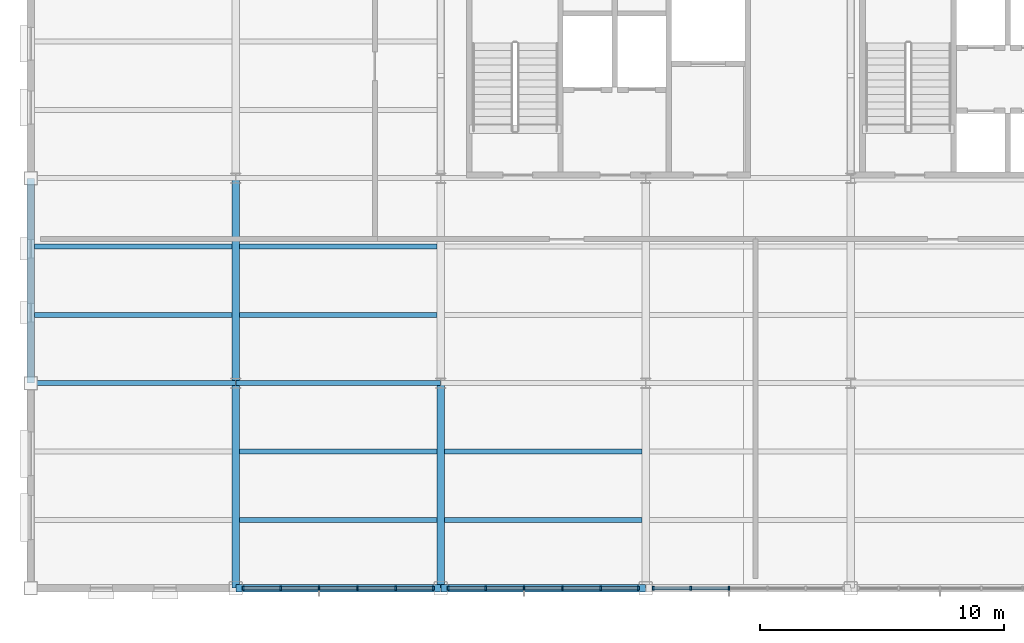
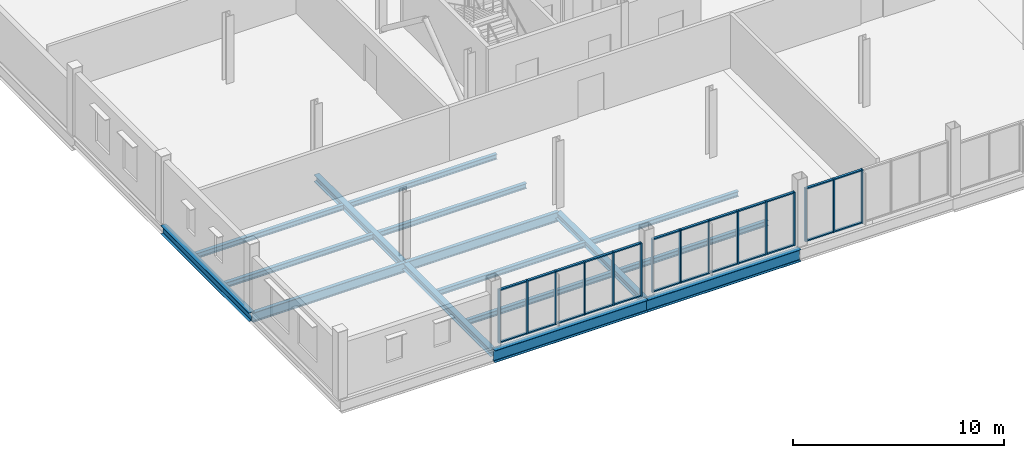
# One storey, part 4 of 17: 39 members, 16 beams, 3 elements without a shape of their own.
"""IFC4 building model written with IfcOpenShell, lengths in metres."""

from ifc_helpers import new_model, si_unit, direction, frame, origin, origin_2d, place, context, subcontext, project, spatial, rectangle, i_section, extrude, material, layer, layer_set, material_profile, profile_set, type_object, element, aggregate, save


model = new_model("IFC4")

# Units and contexts
model_context = context("Model", 3, precision=1e-05, world=origin(), true_north=direction((0.0, 1.0)))
body_context = subcontext(model_context, "Body", "Model", "MODEL_VIEW")
ifc_project = project(units=[si_unit("LENGTHUNIT", "METRE"), si_unit("AREAUNIT", "SQUARE_METRE"), si_unit("VOLUMEUNIT", "CUBIC_METRE"), si_unit("PLANEANGLEUNIT", "RADIAN"), si_unit("MASSUNIT", "GRAM", prefix="KILO")], contexts=[model_context])

# Site, building, storey
site_placement = place(None, origin())
site = spatial("IfcSite", under=ifc_project, at=site_placement, CompositionType="ELEMENT")
building_placement = place(site_placement, origin())
building = spatial("IfcBuilding", under=site, at=building_placement, Name="Yukiwa Park Conservatory and Herbarium", CompositionType="ELEMENT")
storey_placement = place(building_placement, frame((0.0, 0.0, 17.10009765625)))
storey = spatial("IfcBuildingStorey", under=building, at=storey_placement, Name="L04", CompositionType="ELEMENT", Elevation=17.10009765625)

# Beams
ifc_material_1 = material(Name="Steel Q355D", Category="steel")
ifc_material_profile_1 = material_profile(ifc_material_1, i_section(OverallWidth=0.300048828125, OverallDepth=0.389892578125, WebThickness=0.010009765625, FlangeThickness=0.01611328125, FilletRadius=0.02001953125, at=origin_2d()), Name="HM 390x300x10x16")
ifc_profile_set_1 = profile_set([ifc_material_profile_1], Name="Steel Q355D")
beam_type_1 = type_object("IfcBeamType", Name="BM-GRD-HM390", PredefinedType="BEAM", material=ifc_profile_set_1)
for number, where, z_axis, x_axis, name in (
    (1, (124.800048828125, 78.006103515625, -0.47509765625), (0.0, 1.0, 0.0), (-1.0, 0.0, 0.0), "L04 grid girder Y-35"),
    (2, (124.800048828125, 86.406005859375, -0.47509765625), (0.0, 1.0, 0.0), (-1.0, 0.0, 0.0), "L04 grid girder Y-36"),
    (3, (133.199951171875, 78.006103515625, -0.47509765625), (0.0, 1.0, 0.0), (-1.0, 0.0, 0.0), "L04 grid girder Y-39"),
):
    element("IfcBeam", number, at=place(storey_placement, frame(where, z_axis=z_axis, x_axis=x_axis)), inside=storey, type_object=beam_type_1, Name=name, PredefinedType="BEAM", context=body_context, shape_type="SweptSolid", body=[
        extrude(i_section(OverallWidth=0.300048828125, OverallDepth=0.389892578125, WebThickness=0.010009765625, FlangeThickness=0.01611328125, FilletRadius=0.02001953125, at=origin_2d()), origin(), (0.0, 0.0, 1.0), 8.387939453125),
    ])
ifc_material_2 = material(Name="Steel Q355D", Category="steel")
ifc_material_profile_2 = material_profile(ifc_material_2, i_section(OverallWidth=0.199951171875, OverallDepth=0.550048828125, WebThickness=0.010009765625, FlangeThickness=0.01611328125, FilletRadius=0.02001953125, at=origin_2d()), Name="HN 550x200x10x16")
ifc_profile_set_2 = profile_set([ifc_material_profile_2], Name="Steel Q355D")
beam_type_2 = type_object("IfcBeamType", Name="BM-GRD-HN550", PredefinedType="BEAM", material=ifc_profile_set_2)
beam_1_placement = place(storey_placement, frame((116.406005859375, 86.39990234375, -0.55517578125), z_axis=(1.0, 0.0, 0.0), x_axis=(0.0, 1.0, 0.0)))
element("IfcBeam", 4, at=beam_1_placement, inside=storey, type_object=beam_type_2, Name="L04 grid beam X-7", PredefinedType="BEAM", context=body_context, shape_type="SweptSolid", body=[
    extrude(i_section(OverallWidth=0.199951171875, OverallDepth=0.550048828125, WebThickness=0.010009765625, FlangeThickness=0.01611328125, FilletRadius=0.02001953125, at=origin_2d()), origin(), (0.0, 0.0, 1.0), 8.387939453125),
])
beam_2_placement = place(storey_placement, frame((124.805908203125, 86.39990234375, -0.55517578125), z_axis=(1.0, 0.0, 0.0), x_axis=(0.0, 1.0, 0.0)))
element("IfcBeam", 5, at=beam_2_placement, inside=storey, type_object=beam_type_2, Name="L04 grid beam X-8", PredefinedType="BEAM", context=body_context, shape_type="SweptSolid", body=[
    extrude(i_section(OverallWidth=0.199951171875, OverallDepth=0.550048828125, WebThickness=0.010009765625, FlangeThickness=0.01611328125, FilletRadius=0.02001953125, at=origin_2d()), origin(), (0.0, 0.0, 1.0), 8.38818359375),
])
ifc_material_3 = material(Name="Steel Q355D", Category="steel")
ifc_material_profile_3 = material_profile(ifc_material_3, i_section(OverallWidth=0.199951171875, OverallDepth=0.300048828125, WebThickness=0.008056640625, FlangeThickness=0.011962890625, FilletRadius=0.01806640625, at=origin_2d()), Name="HM 300x200x8x12")
ifc_profile_set_3 = profile_set([ifc_material_profile_3], Name="Steel Q355D")
beam_type_3 = type_object("IfcBeamType", Name="BM-JST-HM300", PredefinedType="JOIST", material=ifc_profile_set_3)
for number, where, z_axis, x_axis, name in (
    (6, (116.5458984375, 89.199951171875, -0.43017578125), (1.0, 0.0, 0.0), (0.0, 1.0, 0.0), "L04 composite floor joist 3"),
    (7, (116.5458984375, 92.0, -0.43017578125), (1.0, 0.0, 0.0), (0.0, 1.0, 0.0), "L04 composite floor joist 4"),
):
    element("IfcBeam", number, at=place(storey_placement, frame(where, z_axis=z_axis, x_axis=x_axis)), inside=storey, type_object=beam_type_3, Name=name, PredefinedType="JOIST", context=body_context, shape_type="SweptSolid", body=[
        extrude(i_section(OverallWidth=0.199951171875, OverallDepth=0.300048828125, WebThickness=0.008056640625, FlangeThickness=0.011962890625, FilletRadius=0.01806640625, at=origin_2d()), origin(), (0.0, 0.0, 1.0), 8.108154296875),
    ])
for number, where, z_axis, x_axis, name in (
    (8, (124.946044921875, 80.800048828125, -0.43017578125), (1.0, 0.0, 0.0), (0.0, 1.0, 0.0), "L04 composite floor joist 9"),
    (9, (124.946044921875, 83.60009765625, -0.43017578125), (1.0, 0.0, 0.0), (0.0, 1.0, 0.0), "L04 composite floor joist 10"),
    (10, (124.946044921875, 89.199951171875, -0.43017578125), (1.0, 0.0, 0.0), (0.0, 1.0, 0.0), "L04 composite floor joist 11"),
    (11, (124.946044921875, 92.0, -0.43017578125), (1.0, 0.0, 0.0), (0.0, 1.0, 0.0), "L04 composite floor joist 12"),
):
    element("IfcBeam", number, at=place(storey_placement, frame(where, z_axis=z_axis, x_axis=x_axis)), inside=storey, type_object=beam_type_3, Name=name, PredefinedType="JOIST", context=body_context, shape_type="SweptSolid", body=[
        extrude(i_section(OverallWidth=0.199951171875, OverallDepth=0.300048828125, WebThickness=0.008056640625, FlangeThickness=0.011962890625, FilletRadius=0.01806640625, at=origin_2d()), origin(), (0.0, 0.0, 1.0), 8.10791015625),
    ])
for number, where, z_axis, x_axis, name in (
    (12, (133.345947265625, 80.800048828125, -0.43017578125), (1.0, 0.0, 0.0), (0.0, 1.0, 0.0), "L04 composite floor joist 17"),
    (13, (133.345947265625, 83.60009765625, -0.43017578125), (1.0, 0.0, 0.0), (0.0, 1.0, 0.0), "L04 composite floor joist 18"),
):
    element("IfcBeam", number, at=place(storey_placement, frame(where, z_axis=z_axis, x_axis=x_axis)), inside=storey, type_object=beam_type_3, Name=name, PredefinedType="JOIST", context=body_context, shape_type="SweptSolid", body=[
        extrude(i_section(OverallWidth=0.199951171875, OverallDepth=0.300048828125, WebThickness=0.008056640625, FlangeThickness=0.011962890625, FilletRadius=0.01806640625, at=origin_2d()), origin(), (0.0, 0.0, 1.0), 8.108154296875),
    ])
ifc_material_4 = material(Name="Steel Q355D", Category="steel")
ifc_material_profile_4 = material_profile(ifc_material_4, i_section(OverallWidth=0.300048828125, OverallDepth=0.5, WebThickness=0.010986328125, FlangeThickness=0.01806640625, FilletRadius=0.02392578125, at=origin_2d()), Name="HM 500x300x11x18")
ifc_profile_set_4 = profile_set([ifc_material_profile_4], Name="Steel Q355D")
beam_type_4 = type_object("IfcBeamType", Name="BM-SPN-HN500", PredefinedType="SPANDREL", material=ifc_profile_set_4)
beam_3_placement = place(storey_placement, frame((116.39990234375, 86.406005859375, -0.530029296875), z_axis=(0.0, 1.0, 0.0), x_axis=(-1.0, 0.0, 0.0)))
element("IfcBeam", 14, at=beam_3_placement, inside=storey, type_object=beam_type_4, Name="L04 spandrel girder Y-32", PredefinedType="SPANDREL", context=body_context, shape_type="SweptSolid", body=[
    extrude(i_section(OverallWidth=0.300048828125, OverallDepth=0.5, WebThickness=0.010986328125, FlangeThickness=0.01806640625, FilletRadius=0.02392578125, at=origin_2d()), origin(), (0.0, 0.0, 1.0), 8.387939453125),
])
ifc_material_5 = material(Name="Steel Q355D", Category="steel")
ifc_material_profile_5 = material_profile(ifc_material_5, i_section(OverallWidth=0.300048828125, OverallDepth=0.69189453125, WebThickness=0.012939453125, FlangeThickness=0.02001953125, FilletRadius=0.028076171875, at=origin_2d()), Name="HN 692x300x13x20")
ifc_profile_set_5 = profile_set([ifc_material_profile_5], Name="Steel Q355D")
beam_type_5 = type_object("IfcBeamType", Name="BM-SPN-HN550", PredefinedType="SPANDREL", material=ifc_profile_set_5)
beam_4_placement = place(storey_placement, frame((124.805908203125, 78.0, -0.6259765625), z_axis=(1.0, 0.0, 0.0), x_axis=(0.0, 1.0, 0.0)))
element("IfcBeam", 15, at=beam_4_placement, inside=storey, type_object=beam_type_5, Name="L04 spandrel beam X-2", PredefinedType="SPANDREL", context=body_context, shape_type="SweptSolid", body=[
    extrude(i_section(OverallWidth=0.300048828125, OverallDepth=0.69189453125, WebThickness=0.012939453125, FlangeThickness=0.02001953125, FilletRadius=0.028076171875, at=origin_2d()), origin(), (0.0, 0.0, 1.0), 8.38818359375),
])
beam_5_placement = place(storey_placement, frame((133.2060546875, 78.0, -0.6259765625), z_axis=(1.0, 0.0, 0.0), x_axis=(0.0, 1.0, 0.0)))
element("IfcBeam", 16, at=beam_5_placement, inside=storey, type_object=beam_type_5, Name="L04 spandrel beam X-3", PredefinedType="SPANDREL", context=body_context, shape_type="SweptSolid", body=[
    extrude(i_section(OverallWidth=0.300048828125, OverallDepth=0.69189453125, WebThickness=0.012939453125, FlangeThickness=0.02001953125, FilletRadius=0.028076171875, at=origin_2d()), origin(), (0.0, 0.0, 1.0), 8.387939453125),
])

# Curtain wall, members
ifc_material_6 = material(Name="Triple Low-E Insulated Glass", Category="glass")
ifc_layer = layer(ifc_material_6, 0.199951171875)
ifc_layer_set = layer_set([ifc_layer], Name="Triple Low-E Insulated Glass")
curtain_wall_type = type_object("IfcCurtainWallType", Name="CW-VISITOR-1600", PredefinedType="NOTDEFINED", material=ifc_layer_set)
curtain_wall_1_placement = place(storey_placement, origin())
curtain_wall_1 = element("IfcCurtainWall", 17, at=curtain_wall_1_placement, inside=storey, type_object=curtain_wall_type, Name="L04 unitised curtain wall CW-L04-072", PredefinedType="NOTDEFINED")
ifc_material_7 = material(Name="Anodised Aluminium", Category="aluminium")
member_type_1 = type_object("IfcMemberType", Name="MB-CW-MUL-70X150", PredefinedType="MULLION", material=ifc_material_7)
member_1_placement = place(storey_placement, frame((125.110107421875, 78.0, -0.000244140625), z_axis=(0.0, 0.0, 1.0), x_axis=(1.0, 0.0, 0.0)))
member_1 = element("IfcMember", 18, at=member_1_placement, type_object=member_type_1, Name="CW-L04-072 mullion 1", PredefinedType="MULLION", context=body_context, shape_type="SweptSolid", body=[
    extrude(rectangle(XDim=0.070068359375, YDim=0.14990234375, at=origin_2d()), origin(), (0.0, 0.0, 1.0), 3.10009765625),
])
member_2_placement = place(storey_placement, frame((126.64501953125, 78.0, -0.000244140625), z_axis=(0.0, 0.0, 1.0), x_axis=(1.0, 0.0, 0.0)))
member_2 = element("IfcMember", 19, at=member_2_placement, type_object=member_type_1, Name="CW-L04-072 mullion 2", PredefinedType="MULLION", context=body_context, shape_type="SweptSolid", body=[
    extrude(rectangle(XDim=0.070068359375, YDim=0.14990234375, at=origin_2d()), origin(), (0.0, 0.0, 1.0), 3.10009765625),
])
member_3_placement = place(storey_placement, frame((128.215087890625, 78.0, -0.000244140625), z_axis=(0.0, 0.0, 1.0), x_axis=(1.0, 0.0, 0.0)))
member_3 = element("IfcMember", 20, at=member_3_placement, type_object=member_type_1, Name="CW-L04-072 mullion 3", PredefinedType="MULLION", context=body_context, shape_type="SweptSolid", body=[
    extrude(rectangle(XDim=0.070068359375, YDim=0.14990234375, at=origin_2d()), origin(), (0.0, 0.0, 1.0), 3.10009765625),
])
member_4_placement = place(storey_placement, frame((129.784912109375, 78.0, -0.000244140625), z_axis=(0.0, 0.0, 1.0), x_axis=(1.0, 0.0, 0.0)))
member_4 = element("IfcMember", 21, at=member_4_placement, type_object=member_type_1, Name="CW-L04-072 mullion 4", PredefinedType="MULLION", context=body_context, shape_type="SweptSolid", body=[
    extrude(rectangle(XDim=0.070068359375, YDim=0.14990234375, at=origin_2d()), origin(), (0.0, 0.0, 1.0), 3.10009765625),
])
member_5_placement = place(storey_placement, frame((131.35498046875, 78.0, -0.000244140625), z_axis=(0.0, 0.0, 1.0), x_axis=(1.0, 0.0, 0.0)))
member_5 = element("IfcMember", 22, at=member_5_placement, type_object=member_type_1, Name="CW-L04-072 mullion 5", PredefinedType="MULLION", context=body_context, shape_type="SweptSolid", body=[
    extrude(rectangle(XDim=0.070068359375, YDim=0.14990234375, at=origin_2d()), origin(), (0.0, 0.0, 1.0), 3.10009765625),
])
member_6_placement = place(storey_placement, frame((132.889892578125, 78.0, -0.000244140625), z_axis=(0.0, 0.0, 1.0), x_axis=(1.0, 0.0, 0.0)))
member_6 = element("IfcMember", 23, at=member_6_placement, type_object=member_type_1, Name="CW-L04-072 mullion 6", PredefinedType="MULLION", context=body_context, shape_type="SweptSolid", body=[
    extrude(rectangle(XDim=0.070068359375, YDim=0.14990234375, at=origin_2d()), origin(), (0.0, 0.0, 1.0), 3.10009765625),
])

curtain_wall_2_placement = place(storey_placement, origin())
curtain_wall_2 = element("IfcCurtainWall", 24, at=curtain_wall_2_placement, inside=storey, type_object=curtain_wall_type, Name="L04 unitised curtain wall CW-L04-073", PredefinedType="NOTDEFINED")
member_7_placement = place(storey_placement, frame((133.510009765625, 78.0, -0.000244140625), z_axis=(0.0, 0.0, 1.0), x_axis=(1.0, 0.0, 0.0)))
member_7 = element("IfcMember", 25, at=member_7_placement, type_object=member_type_1, Name="CW-L04-073 mullion 1", PredefinedType="MULLION", context=body_context, shape_type="SweptSolid", body=[
    extrude(rectangle(XDim=0.070068359375, YDim=0.14990234375, at=origin_2d()), origin(), (0.0, 0.0, 1.0), 3.10009765625),
])
member_8_placement = place(storey_placement, frame((135.044921875, 78.0, -0.000244140625), z_axis=(0.0, 0.0, 1.0), x_axis=(1.0, 0.0, 0.0)))
member_8 = element("IfcMember", 26, at=member_8_placement, type_object=member_type_1, Name="CW-L04-073 mullion 2", PredefinedType="MULLION", context=body_context, shape_type="SweptSolid", body=[
    extrude(rectangle(XDim=0.070068359375, YDim=0.14990234375, at=origin_2d()), origin(), (0.0, 0.0, 1.0), 3.10009765625),
])
member_9_placement = place(storey_placement, frame((136.614990234375, 78.0, -0.000244140625), z_axis=(0.0, 0.0, 1.0), x_axis=(1.0, 0.0, 0.0)))
member_9 = element("IfcMember", 27, at=member_9_placement, type_object=member_type_1, Name="CW-L04-073 mullion 3", PredefinedType="MULLION", context=body_context, shape_type="SweptSolid", body=[
    extrude(rectangle(XDim=0.070068359375, YDim=0.14990234375, at=origin_2d()), origin(), (0.0, 0.0, 1.0), 3.10009765625),
])
member_10_placement = place(storey_placement, frame((138.18505859375, 78.0, -0.000244140625), z_axis=(0.0, 0.0, 1.0), x_axis=(1.0, 0.0, 0.0)))
member_10 = element("IfcMember", 28, at=member_10_placement, type_object=member_type_1, Name="CW-L04-073 mullion 4", PredefinedType="MULLION", context=body_context, shape_type="SweptSolid", body=[
    extrude(rectangle(XDim=0.070068359375, YDim=0.14990234375, at=origin_2d()), origin(), (0.0, 0.0, 1.0), 3.10009765625),
])
member_11_placement = place(storey_placement, frame((139.7548828125, 78.0, -0.000244140625), z_axis=(0.0, 0.0, 1.0), x_axis=(1.0, 0.0, 0.0)))
member_11 = element("IfcMember", 29, at=member_11_placement, type_object=member_type_1, Name="CW-L04-073 mullion 5", PredefinedType="MULLION", context=body_context, shape_type="SweptSolid", body=[
    extrude(rectangle(XDim=0.070068359375, YDim=0.14990234375, at=origin_2d()), origin(), (0.0, 0.0, 1.0), 3.10009765625),
])
member_12_placement = place(storey_placement, frame((141.2900390625, 78.0, -0.000244140625), z_axis=(0.0, 0.0, 1.0), x_axis=(1.0, 0.0, 0.0)))
member_12 = element("IfcMember", 30, at=member_12_placement, type_object=member_type_1, Name="CW-L04-073 mullion 6", PredefinedType="MULLION", context=body_context, shape_type="SweptSolid", body=[
    extrude(rectangle(XDim=0.070068359375, YDim=0.14990234375, at=origin_2d()), origin(), (0.0, 0.0, 1.0), 3.10009765625),
])

curtain_wall_3_placement = place(storey_placement, origin())
curtain_wall_3 = element("IfcCurtainWall", 31, at=curtain_wall_3_placement, inside=storey, type_object=curtain_wall_type, Name="L04 unitised curtain wall CW-L04-074", PredefinedType="NOTDEFINED")
member_13_placement = place(storey_placement, frame((141.909912109375, 78.0, -0.000244140625), z_axis=(0.0, 0.0, 1.0), x_axis=(1.0, 0.0, 0.0)))
member_13 = element("IfcMember", 32, at=member_13_placement, type_object=member_type_1, Name="CW-L04-074 mullion 1", PredefinedType="MULLION", context=body_context, shape_type="SweptSolid", body=[
    extrude(rectangle(XDim=0.070068359375, YDim=0.14990234375, at=origin_2d()), origin(), (0.0, 0.0, 1.0), 3.10009765625),
])
member_14_placement = place(storey_placement, frame((143.445068359375, 78.0, -0.000244140625), z_axis=(0.0, 0.0, 1.0), x_axis=(1.0, 0.0, 0.0)))
member_14 = element("IfcMember", 33, at=member_14_placement, type_object=member_type_1, Name="CW-L04-074 mullion 2", PredefinedType="MULLION", context=body_context, shape_type="SweptSolid", body=[
    extrude(rectangle(XDim=0.070068359375, YDim=0.14990234375, at=origin_2d()), origin(), (0.0, 0.0, 1.0), 3.10009765625),
])
member_15_placement = place(storey_placement, frame((145.014892578125, 78.0, -0.000244140625), z_axis=(0.0, 0.0, 1.0), x_axis=(1.0, 0.0, 0.0)))
member_15 = element("IfcMember", 34, at=member_15_placement, type_object=member_type_1, Name="CW-L04-074 mullion 3", PredefinedType="MULLION", context=body_context, shape_type="SweptSolid", body=[
    extrude(rectangle(XDim=0.070068359375, YDim=0.14990234375, at=origin_2d()), origin(), (0.0, 0.0, 1.0), 3.10009765625),
])

# Member
ifc_material_8 = material(Name="Anodised Aluminium", Category="aluminium")
member_type_2 = type_object("IfcMemberType", Name="MB-CW-TRN-70X130", PredefinedType="USERDEFINED", material=ifc_material_8)
member_16_placement = place(storey_placement, frame((125.860107421875, 78.0, 0.0), z_axis=(0.0, 0.0, 1.0), x_axis=(1.0, 0.0, 0.0)))
member_16 = element("IfcMember", 35, at=member_16_placement, type_object=member_type_2, Name="CW-L04-072 transom 1.1", ObjectType="TRANSOM", PredefinedType="USERDEFINED", context=body_context, shape_type="SweptSolid", body=[
    extrude(rectangle(XDim=1.5, YDim=0.1298828125, at=origin_2d()), origin(), (0.0, 0.0, 1.0), 0.070068359375),
])

member_17_placement = place(storey_placement, frame((125.860107421875, 78.0, 3.02978515625), z_axis=(0.0, 0.0, 1.0), x_axis=(1.0, 0.0, 0.0)))
member_17 = element("IfcMember", 36, at=member_17_placement, type_object=member_type_2, Name="CW-L04-072 transom 1.2", ObjectType="TRANSOM", PredefinedType="USERDEFINED", context=body_context, shape_type="SweptSolid", body=[
    extrude(rectangle(XDim=1.5, YDim=0.1298828125, at=origin_2d()), origin(), (0.0, 0.0, 1.0), 0.070068359375),
])

member_18_placement = place(storey_placement, frame((127.429931640625, 78.0, 0.0), z_axis=(0.0, 0.0, 1.0), x_axis=(1.0, 0.0, 0.0)))
member_18 = element("IfcMember", 37, at=member_18_placement, type_object=member_type_2, Name="CW-L04-072 transom 2.1", ObjectType="TRANSOM", PredefinedType="USERDEFINED", context=body_context, shape_type="SweptSolid", body=[
    extrude(rectangle(XDim=1.5, YDim=0.1298828125, at=origin_2d()), origin(), (0.0, 0.0, 1.0), 0.070068359375),
])

member_19_placement = place(storey_placement, frame((127.429931640625, 78.0, 3.02978515625), z_axis=(0.0, 0.0, 1.0), x_axis=(1.0, 0.0, 0.0)))
member_19 = element("IfcMember", 38, at=member_19_placement, type_object=member_type_2, Name="CW-L04-072 transom 2.2", ObjectType="TRANSOM", PredefinedType="USERDEFINED", context=body_context, shape_type="SweptSolid", body=[
    extrude(rectangle(XDim=1.5, YDim=0.1298828125, at=origin_2d()), origin(), (0.0, 0.0, 1.0), 0.070068359375),
])

member_20_placement = place(storey_placement, frame((129.0, 78.0, 0.0), z_axis=(0.0, 0.0, 1.0), x_axis=(1.0, 0.0, 0.0)))
member_20 = element("IfcMember", 39, at=member_20_placement, type_object=member_type_2, Name="CW-L04-072 transom 3.1", ObjectType="TRANSOM", PredefinedType="USERDEFINED", context=body_context, shape_type="SweptSolid", body=[
    extrude(rectangle(XDim=1.5, YDim=0.1298828125, at=origin_2d()), origin(), (0.0, 0.0, 1.0), 0.070068359375),
])

member_21_placement = place(storey_placement, frame((129.0, 78.0, 3.02978515625), z_axis=(0.0, 0.0, 1.0), x_axis=(1.0, 0.0, 0.0)))
member_21 = element("IfcMember", 40, at=member_21_placement, type_object=member_type_2, Name="CW-L04-072 transom 3.2", ObjectType="TRANSOM", PredefinedType="USERDEFINED", context=body_context, shape_type="SweptSolid", body=[
    extrude(rectangle(XDim=1.5, YDim=0.1298828125, at=origin_2d()), origin(), (0.0, 0.0, 1.0), 0.070068359375),
])

member_22_placement = place(storey_placement, frame((130.570068359375, 78.0, 0.0), z_axis=(0.0, 0.0, 1.0), x_axis=(1.0, 0.0, 0.0)))
member_22 = element("IfcMember", 41, at=member_22_placement, type_object=member_type_2, Name="CW-L04-072 transom 4.1", ObjectType="TRANSOM", PredefinedType="USERDEFINED", context=body_context, shape_type="SweptSolid", body=[
    extrude(rectangle(XDim=1.5, YDim=0.1298828125, at=origin_2d()), origin(), (0.0, 0.0, 1.0), 0.070068359375),
])

member_23_placement = place(storey_placement, frame((130.570068359375, 78.0, 3.02978515625), z_axis=(0.0, 0.0, 1.0), x_axis=(1.0, 0.0, 0.0)))
member_23 = element("IfcMember", 42, at=member_23_placement, type_object=member_type_2, Name="CW-L04-072 transom 4.2", ObjectType="TRANSOM", PredefinedType="USERDEFINED", context=body_context, shape_type="SweptSolid", body=[
    extrude(rectangle(XDim=1.5, YDim=0.1298828125, at=origin_2d()), origin(), (0.0, 0.0, 1.0), 0.070068359375),
])

member_24_placement = place(storey_placement, frame((132.139892578125, 78.0, 0.0), z_axis=(0.0, 0.0, 1.0), x_axis=(1.0, 0.0, 0.0)))
member_24 = element("IfcMember", 43, at=member_24_placement, type_object=member_type_2, Name="CW-L04-072 transom 5.1", ObjectType="TRANSOM", PredefinedType="USERDEFINED", context=body_context, shape_type="SweptSolid", body=[
    extrude(rectangle(XDim=1.5, YDim=0.1298828125, at=origin_2d()), origin(), (0.0, 0.0, 1.0), 0.070068359375),
])

member_25_placement = place(storey_placement, frame((132.139892578125, 78.0, 3.02978515625), z_axis=(0.0, 0.0, 1.0), x_axis=(1.0, 0.0, 0.0)))
member_25 = element("IfcMember", 44, at=member_25_placement, type_object=member_type_2, Name="CW-L04-072 transom 5.2", ObjectType="TRANSOM", PredefinedType="USERDEFINED", context=body_context, shape_type="SweptSolid", body=[
    extrude(rectangle(XDim=1.5, YDim=0.1298828125, at=origin_2d()), origin(), (0.0, 0.0, 1.0), 0.070068359375),
])

aggregate(curtain_wall_1, [member_1, member_2, member_3, member_4, member_5, member_6, member_16, member_17, member_18, member_19, member_20, member_21, member_22, member_23, member_24, member_25])

member_26_placement = place(storey_placement, frame((134.260009765625, 78.0, 0.0), z_axis=(0.0, 0.0, 1.0), x_axis=(1.0, 0.0, 0.0)))
member_26 = element("IfcMember", 45, at=member_26_placement, type_object=member_type_2, Name="CW-L04-073 transom 1.1", ObjectType="TRANSOM", PredefinedType="USERDEFINED", context=body_context, shape_type="SweptSolid", body=[
    extrude(rectangle(XDim=1.5, YDim=0.1298828125, at=origin_2d()), origin(), (0.0, 0.0, 1.0), 0.070068359375),
])

member_27_placement = place(storey_placement, frame((134.260009765625, 78.0, 3.02978515625), z_axis=(0.0, 0.0, 1.0), x_axis=(1.0, 0.0, 0.0)))
member_27 = element("IfcMember", 46, at=member_27_placement, type_object=member_type_2, Name="CW-L04-073 transom 1.2", ObjectType="TRANSOM", PredefinedType="USERDEFINED", context=body_context, shape_type="SweptSolid", body=[
    extrude(rectangle(XDim=1.5, YDim=0.1298828125, at=origin_2d()), origin(), (0.0, 0.0, 1.0), 0.070068359375),
])

member_28_placement = place(storey_placement, frame((135.830078125, 78.0, 0.0), z_axis=(0.0, 0.0, 1.0), x_axis=(1.0, 0.0, 0.0)))
member_28 = element("IfcMember", 47, at=member_28_placement, type_object=member_type_2, Name="CW-L04-073 transom 2.1", ObjectType="TRANSOM", PredefinedType="USERDEFINED", context=body_context, shape_type="SweptSolid", body=[
    extrude(rectangle(XDim=1.5, YDim=0.1298828125, at=origin_2d()), origin(), (0.0, 0.0, 1.0), 0.070068359375),
])

member_29_placement = place(storey_placement, frame((135.830078125, 78.0, 3.02978515625), z_axis=(0.0, 0.0, 1.0), x_axis=(1.0, 0.0, 0.0)))
member_29 = element("IfcMember", 48, at=member_29_placement, type_object=member_type_2, Name="CW-L04-073 transom 2.2", ObjectType="TRANSOM", PredefinedType="USERDEFINED", context=body_context, shape_type="SweptSolid", body=[
    extrude(rectangle(XDim=1.5, YDim=0.1298828125, at=origin_2d()), origin(), (0.0, 0.0, 1.0), 0.070068359375),
])

member_30_placement = place(storey_placement, frame((137.39990234375, 78.0, 0.0), z_axis=(0.0, 0.0, 1.0), x_axis=(1.0, 0.0, 0.0)))
member_30 = element("IfcMember", 49, at=member_30_placement, type_object=member_type_2, Name="CW-L04-073 transom 3.1", ObjectType="TRANSOM", PredefinedType="USERDEFINED", context=body_context, shape_type="SweptSolid", body=[
    extrude(rectangle(XDim=1.5, YDim=0.1298828125, at=origin_2d()), origin(), (0.0, 0.0, 1.0), 0.070068359375),
])

member_31_placement = place(storey_placement, frame((137.39990234375, 78.0, 3.02978515625), z_axis=(0.0, 0.0, 1.0), x_axis=(1.0, 0.0, 0.0)))
member_31 = element("IfcMember", 50, at=member_31_placement, type_object=member_type_2, Name="CW-L04-073 transom 3.2", ObjectType="TRANSOM", PredefinedType="USERDEFINED", context=body_context, shape_type="SweptSolid", body=[
    extrude(rectangle(XDim=1.5, YDim=0.1298828125, at=origin_2d()), origin(), (0.0, 0.0, 1.0), 0.070068359375),
])

member_32_placement = place(storey_placement, frame((138.969970703125, 78.0, 0.0), z_axis=(0.0, 0.0, 1.0), x_axis=(1.0, 0.0, 0.0)))
member_32 = element("IfcMember", 51, at=member_32_placement, type_object=member_type_2, Name="CW-L04-073 transom 4.1", ObjectType="TRANSOM", PredefinedType="USERDEFINED", context=body_context, shape_type="SweptSolid", body=[
    extrude(rectangle(XDim=1.5, YDim=0.1298828125, at=origin_2d()), origin(), (0.0, 0.0, 1.0), 0.070068359375),
])

member_33_placement = place(storey_placement, frame((138.969970703125, 78.0, 3.02978515625), z_axis=(0.0, 0.0, 1.0), x_axis=(1.0, 0.0, 0.0)))
member_33 = element("IfcMember", 52, at=member_33_placement, type_object=member_type_2, Name="CW-L04-073 transom 4.2", ObjectType="TRANSOM", PredefinedType="USERDEFINED", context=body_context, shape_type="SweptSolid", body=[
    extrude(rectangle(XDim=1.5, YDim=0.1298828125, at=origin_2d()), origin(), (0.0, 0.0, 1.0), 0.070068359375),
])

member_34_placement = place(storey_placement, frame((140.5400390625, 78.0, 0.0), z_axis=(0.0, 0.0, 1.0), x_axis=(1.0, 0.0, 0.0)))
member_34 = element("IfcMember", 53, at=member_34_placement, type_object=member_type_2, Name="CW-L04-073 transom 5.1", ObjectType="TRANSOM", PredefinedType="USERDEFINED", context=body_context, shape_type="SweptSolid", body=[
    extrude(rectangle(XDim=1.5, YDim=0.1298828125, at=origin_2d()), origin(), (0.0, 0.0, 1.0), 0.070068359375),
])

member_35_placement = place(storey_placement, frame((140.5400390625, 78.0, 3.02978515625), z_axis=(0.0, 0.0, 1.0), x_axis=(1.0, 0.0, 0.0)))
member_35 = element("IfcMember", 54, at=member_35_placement, type_object=member_type_2, Name="CW-L04-073 transom 5.2", ObjectType="TRANSOM", PredefinedType="USERDEFINED", context=body_context, shape_type="SweptSolid", body=[
    extrude(rectangle(XDim=1.5, YDim=0.1298828125, at=origin_2d()), origin(), (0.0, 0.0, 1.0), 0.070068359375),
])

aggregate(curtain_wall_2, [member_7, member_8, member_9, member_10, member_11, member_12, member_26, member_27, member_28, member_29, member_30, member_31, member_32, member_33, member_34, member_35])

member_36_placement = place(storey_placement, frame((142.659912109375, 78.0, 0.0), z_axis=(0.0, 0.0, 1.0), x_axis=(1.0, 0.0, 0.0)))
member_36 = element("IfcMember", 55, at=member_36_placement, type_object=member_type_2, Name="CW-L04-074 transom 1.1", ObjectType="TRANSOM", PredefinedType="USERDEFINED", context=body_context, shape_type="SweptSolid", body=[
    extrude(rectangle(XDim=1.5, YDim=0.1298828125, at=origin_2d()), origin(), (0.0, 0.0, 1.0), 0.070068359375),
])

member_37_placement = place(storey_placement, frame((142.659912109375, 78.0, 3.02978515625), z_axis=(0.0, 0.0, 1.0), x_axis=(1.0, 0.0, 0.0)))
member_37 = element("IfcMember", 56, at=member_37_placement, type_object=member_type_2, Name="CW-L04-074 transom 1.2", ObjectType="TRANSOM", PredefinedType="USERDEFINED", context=body_context, shape_type="SweptSolid", body=[
    extrude(rectangle(XDim=1.5, YDim=0.1298828125, at=origin_2d()), origin(), (0.0, 0.0, 1.0), 0.070068359375),
])

member_38_placement = place(storey_placement, frame((144.22998046875, 78.0, 0.0), z_axis=(0.0, 0.0, 1.0), x_axis=(1.0, 0.0, 0.0)))
member_38 = element("IfcMember", 57, at=member_38_placement, type_object=member_type_2, Name="CW-L04-074 transom 2.1", ObjectType="TRANSOM", PredefinedType="USERDEFINED", context=body_context, shape_type="SweptSolid", body=[
    extrude(rectangle(XDim=1.5, YDim=0.1298828125, at=origin_2d()), origin(), (0.0, 0.0, 1.0), 0.070068359375),
])

member_39_placement = place(storey_placement, frame((144.22998046875, 78.0, 3.02978515625), z_axis=(0.0, 0.0, 1.0), x_axis=(1.0, 0.0, 0.0)))
member_39 = element("IfcMember", 58, at=member_39_placement, type_object=member_type_2, Name="CW-L04-074 transom 2.2", ObjectType="TRANSOM", PredefinedType="USERDEFINED", context=body_context, shape_type="SweptSolid", body=[
    extrude(rectangle(XDim=1.5, YDim=0.1298828125, at=origin_2d()), origin(), (0.0, 0.0, 1.0), 0.070068359375),
])

aggregate(curtain_wall_3, [member_13, member_14, member_15, member_36, member_37, member_38, member_39])

save(model, "model.ifc")
